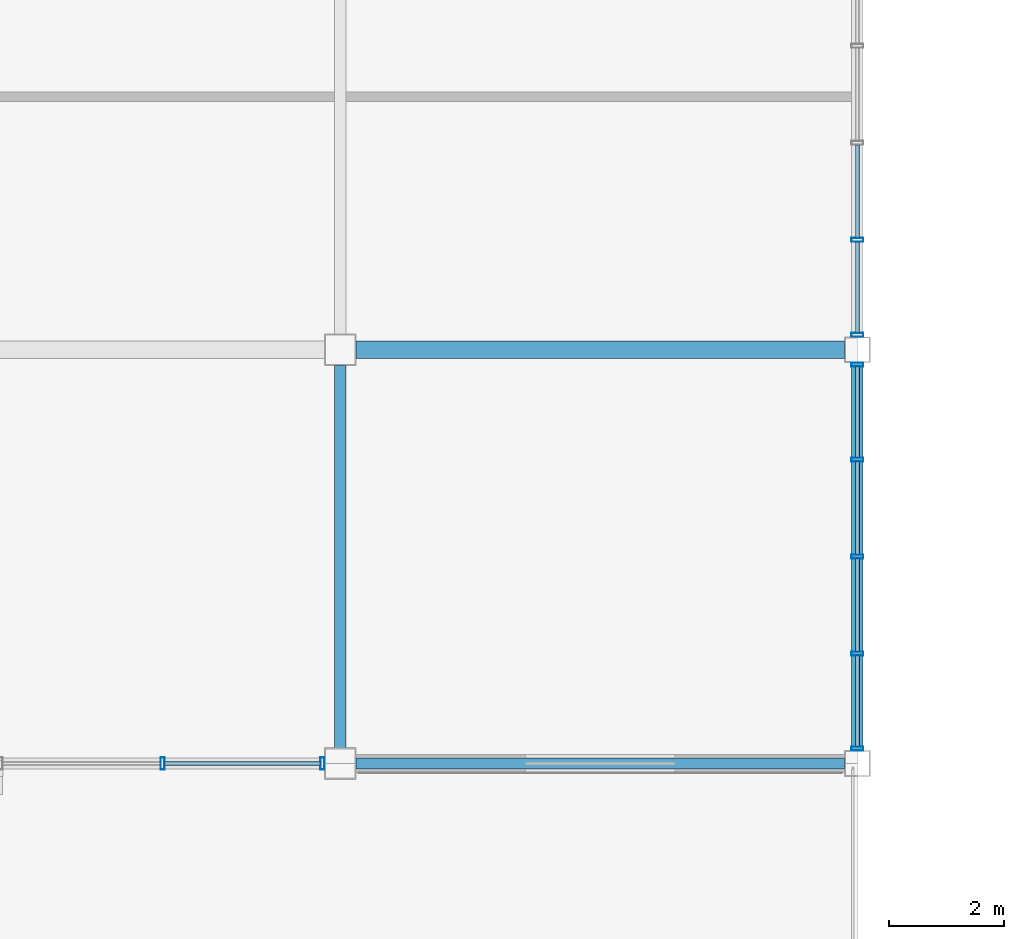
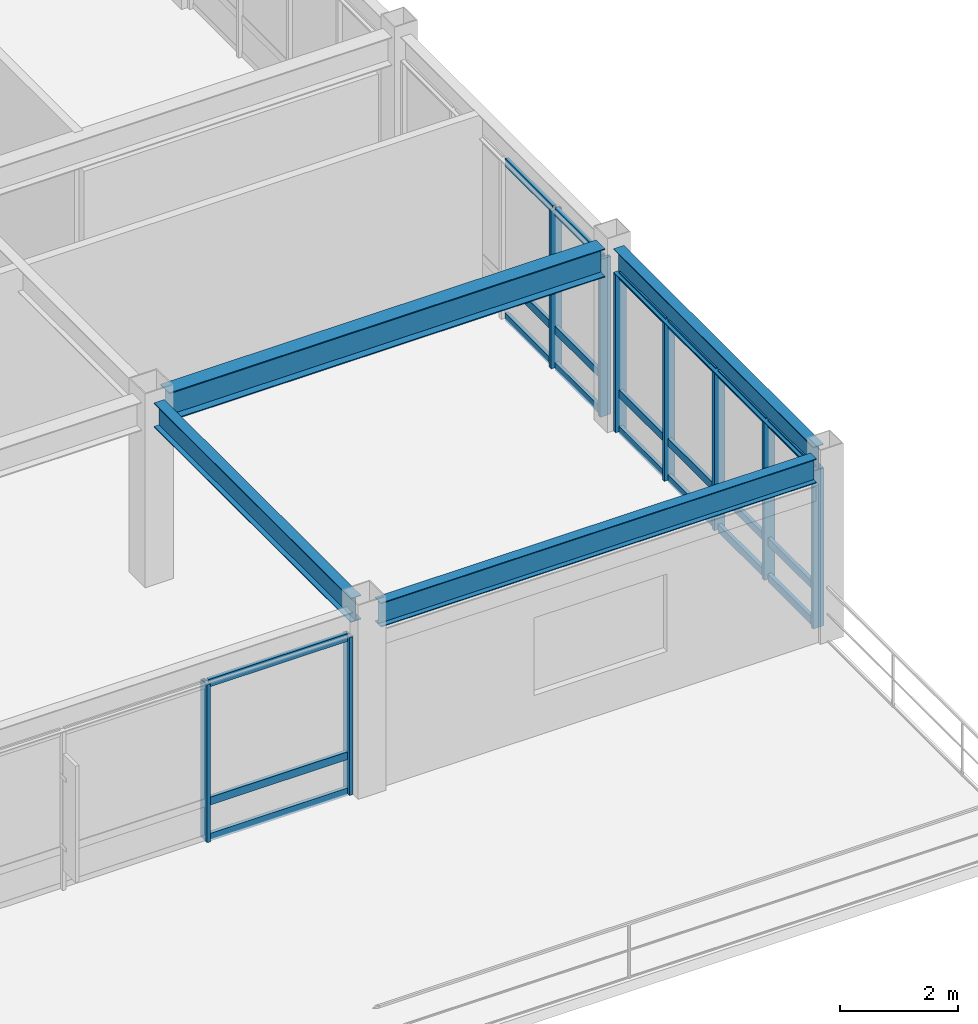
# One storey, part 40 of 122: 30 members, 4 beams, 3 elements without a shape of their own.
"""IFC4 building model written with IfcOpenShell, lengths in metres."""

from ifc_helpers import new_model, si_unit, direction, frame, origin, origin_2d, place, context, subcontext, project, spatial, hollow_rectangle, i_section, extrude, material, material_profile, profile_set, type_object, element, aggregate, save


model = new_model("IFC4")

# Units and contexts
model_context = context("Model", 3, precision=1e-05, world=origin(), true_north=direction((0.0, 1.0)))
body_context = subcontext(model_context, "Body", "Model", "MODEL_VIEW")
ifc_project = project(units=[si_unit("LENGTHUNIT", "METRE"), si_unit("AREAUNIT", "SQUARE_METRE"), si_unit("VOLUMEUNIT", "CUBIC_METRE"), si_unit("PLANEANGLEUNIT", "RADIAN"), si_unit("MASSUNIT", "GRAM", prefix="KILO")], contexts=[model_context])

# Site, building, storey
site_placement = place(None, origin())
site = spatial("IfcSite", under=ifc_project, at=site_placement, CompositionType="ELEMENT")
building_placement = place(site_placement, origin())
building = spatial("IfcBuilding", under=site, at=building_placement, Name="Kazanami Central Library", CompositionType="ELEMENT")
storey_placement = place(building_placement, frame((0.0, 0.0, 4.800048828125)))
storey = spatial("IfcBuildingStorey", under=building, at=storey_placement, Name="L02", CompositionType="ELEMENT", Elevation=4.800048828125)

# Beams
ifc_material_1 = material(Name="Steel SN490B (325 MPa)", Category="steel")
ifc_material_profile_1 = material_profile(ifc_material_1, i_section(OverallWidth=0.300048828125, OverallDepth=0.587890625, WebThickness=0.011962890625, FlangeThickness=0.02001953125, at=origin_2d()), Name="H-588x300x12x20")
ifc_profile_set_1 = profile_set([ifc_material_profile_1], Name="Steel SN490B (325 MPa)")
beam_type_1 = type_object("IfcBeamType", Name="BM-G-X2", PredefinedType="BEAM", material=ifc_profile_set_1)
beam_1_placement = place(storey_placement, frame((99.27294921875, 28.800048828125, 3.4609375), z_axis=(1.0, 0.0, 0.0), x_axis=(0.0, 1.0, 0.0)))
element("IfcBeam", 1, at=beam_1_placement, inside=storey, type_object=beam_type_1, Name="Girder G-X2 L02 E/12-13", PredefinedType="BEAM", context=body_context, shape_type="SweptSolid", body=[
    extrude(i_section(OverallWidth=0.300048828125, OverallDepth=0.587890625, WebThickness=0.011962890625, FlangeThickness=0.02001953125, at=origin_2d()), origin(), (0.0, 0.0, 1.0), 8.504150390625),
])
ifc_material_profile_2 = material_profile(ifc_material_1, i_section(OverallWidth=0.199951171875, OverallDepth=0.5, WebThickness=0.010009765625, FlangeThickness=0.01611328125, at=origin_2d()), Name="H-500x200x10x16")
ifc_profile_set_2 = profile_set([ifc_material_profile_2], Name="Steel SN490B (325 MPa)")
beam_type_2 = type_object("IfcBeamType", Name="BM-G-Y2", PredefinedType="BEAM", material=ifc_profile_set_2)
beam_2_placement = place(storey_placement, frame((99.0, 21.873046875, 3.5048828125), z_axis=(0.0, 1.0, 0.0), x_axis=(-1.0, 0.0, 0.0)))
element("IfcBeam", 2, at=beam_2_placement, inside=storey, type_object=beam_type_2, Name="Girder G-Y2 L02 12/D-E", PredefinedType="BEAM", context=body_context, shape_type="SweptSolid", body=[
    extrude(i_section(OverallWidth=0.199951171875, OverallDepth=0.5, WebThickness=0.010009765625, FlangeThickness=0.01611328125, at=origin_2d()), origin(), (0.0, 0.0, 1.0), 6.654052734375),
])
ifc_material_profile_3 = material_profile(ifc_material_1, i_section(OverallWidth=0.199951171875, OverallDepth=0.5, WebThickness=0.010009765625, FlangeThickness=0.01611328125, at=origin_2d()), Name="H-500x200x10x16")
ifc_profile_set_3 = profile_set([ifc_material_profile_3], Name="Steel SN490B (325 MPa)")
beam_type_3 = type_object("IfcBeamType", Name="BM-SP-1", PredefinedType="SPANDREL", material=ifc_profile_set_3)
beam_3_placement = place(storey_placement, frame((99.27294921875, 21.60009765625, 3.5048828125), z_axis=(1.0, 0.0, 0.0), x_axis=(0.0, 1.0, 0.0)))
element("IfcBeam", 3, at=beam_3_placement, inside=storey, type_object=beam_type_3, Name="Girder SP-1 L02 D/12-13", PredefinedType="SPANDREL", context=body_context, shape_type="SweptSolid", body=[
    extrude(i_section(OverallWidth=0.199951171875, OverallDepth=0.5, WebThickness=0.010009765625, FlangeThickness=0.01611328125, at=origin_2d()), origin(), (0.0, 0.0, 1.0), 8.504150390625),
])
beam_4_placement = place(storey_placement, frame((108.0, 21.822998046875, 3.5048828125), z_axis=(0.0, 1.0, 0.0), x_axis=(-1.0, 0.0, 0.0)))
element("IfcBeam", 4, at=beam_4_placement, inside=storey, type_object=beam_type_3, Name="Girder SP-1 L02 13/D-E", PredefinedType="SPANDREL", context=body_context, shape_type="SweptSolid", body=[
    extrude(i_section(OverallWidth=0.199951171875, OverallDepth=0.5, WebThickness=0.010009765625, FlangeThickness=0.01611328125, at=origin_2d()), origin(), (0.0, 0.0, 1.0), 6.75390625),
])

# Curtain wall, members
ifc_material_2 = material(Name="Acid-Etched Low-E Laminated Glass", Category="glass")
curtain_wall_type_1 = type_object("IfcCurtainWallType", Name="CW-8450x3255-M275", PredefinedType="USERDEFINED", material=ifc_material_2)
curtain_wall_1_placement = place(storey_placement, origin())
curtain_wall_1 = element("IfcCurtainWall", 5, at=curtain_wall_1_placement, inside=storey, type_object=curtain_wall_type_1, Name="Unitised Curtain Wall CW-13 L02 S-D-10", ObjectType="UNITISED CURTAIN WALL", PredefinedType="USERDEFINED")
ifc_material_3 = material(Name="Anodised Aluminium A6063-T5", Category="aluminium")
ifc_material_profile_4 = material_profile(ifc_material_3, hollow_rectangle(XDim=0.070068359375, YDim=0.2099609375, WallThickness=0.0048828125, at=origin_2d()), Name="ALU-MULL-70x210x5")
ifc_profile_set_4 = profile_set([ifc_material_profile_4], Name="Anodised Aluminium A6063-T5")
member_type_1 = type_object("IfcMemberType", Name="MEM-CW-M1", PredefinedType="MULLION", material=ifc_profile_set_4)
member_1_placement = place(storey_placement, frame((95.908447265625, 21.60009765625, 0.0), z_axis=(0.0, 0.0, 1.0), x_axis=(1.0, 0.0, 0.0)))
member_1 = element("IfcMember", 6, at=member_1_placement, type_object=member_type_1, Name="CW-13 mullion 3", PredefinedType="MULLION", context=body_context, shape_type="SweptSolid", body=[
    extrude(hollow_rectangle(XDim=0.070068359375, YDim=0.2099609375, WallThickness=0.0048828125, at=origin_2d()), origin(), (0.0, 0.0, 1.0), 3.2548828125),
])
member_2_placement = place(storey_placement, frame((98.68994140625, 21.60009765625, 0.0), z_axis=(0.0, 0.0, 1.0), x_axis=(1.0, 0.0, 0.0)))
member_2 = element("IfcMember", 7, at=member_2_placement, type_object=member_type_1, Name="CW-13 mullion 4", PredefinedType="MULLION", context=body_context, shape_type="SweptSolid", body=[
    extrude(hollow_rectangle(XDim=0.070068359375, YDim=0.2099609375, WallThickness=0.0048828125, at=origin_2d()), origin(), (0.0, 0.0, 1.0), 3.2548828125),
])

curtain_wall_type_2 = type_object("IfcCurtainWallType", Name="CW-6750x3255-M180", PredefinedType="USERDEFINED", material=ifc_material_2)
curtain_wall_2_placement = place(storey_placement, origin())
curtain_wall_2 = element("IfcCurtainWall", 8, at=curtain_wall_2_placement, inside=storey, type_object=curtain_wall_type_2, Name="Covered Link Bridge Curtain Wall CW-21 L02 E-13-03", ObjectType="UNITISED CURTAIN WALL", PredefinedType="USERDEFINED")
member_3_placement = place(storey_placement, frame((108.0, 28.5400390625, 0.0), z_axis=(0.0, 0.0, 1.0), x_axis=(0.0, -1.0, 0.0)))
member_3 = element("IfcMember", 9, at=member_3_placement, type_object=member_type_1, Name="CW-21 mullion 1", PredefinedType="MULLION", context=body_context, shape_type="SweptSolid", body=[
    extrude(hollow_rectangle(XDim=0.070068359375, YDim=0.2099609375, WallThickness=0.0048828125, at=origin_2d()), origin(), (0.0, 0.0, 1.0), 3.2548828125),
])
member_4_placement = place(storey_placement, frame((108.0, 26.887451171875, 0.0), z_axis=(0.0, 0.0, 1.0), x_axis=(0.0, -1.0, 0.0)))
member_4 = element("IfcMember", 10, at=member_4_placement, type_object=member_type_1, Name="CW-21 mullion 2", PredefinedType="MULLION", context=body_context, shape_type="SweptSolid", body=[
    extrude(hollow_rectangle(XDim=0.070068359375, YDim=0.2099609375, WallThickness=0.0048828125, at=origin_2d()), origin(), (0.0, 0.0, 1.0), 3.2548828125),
])
member_5_placement = place(storey_placement, frame((108.0, 25.199951171875, 0.0), z_axis=(0.0, 0.0, 1.0), x_axis=(0.0, -1.0, 0.0)))
member_5 = element("IfcMember", 11, at=member_5_placement, type_object=member_type_1, Name="CW-21 mullion 3", PredefinedType="MULLION", context=body_context, shape_type="SweptSolid", body=[
    extrude(hollow_rectangle(XDim=0.070068359375, YDim=0.2099609375, WallThickness=0.0048828125, at=origin_2d()), origin(), (0.0, 0.0, 1.0), 3.2548828125),
])
member_6_placement = place(storey_placement, frame((108.0, 23.512451171875, 0.0), z_axis=(0.0, 0.0, 1.0), x_axis=(0.0, -1.0, 0.0)))
member_6 = element("IfcMember", 12, at=member_6_placement, type_object=member_type_1, Name="CW-21 mullion 4", PredefinedType="MULLION", context=body_context, shape_type="SweptSolid", body=[
    extrude(hollow_rectangle(XDim=0.070068359375, YDim=0.2099609375, WallThickness=0.0048828125, at=origin_2d()), origin(), (0.0, 0.0, 1.0), 3.2548828125),
])
member_7_placement = place(storey_placement, frame((108.0, 21.860107421875, 0.0), z_axis=(0.0, 0.0, 1.0), x_axis=(0.0, -1.0, 0.0)))
member_7 = element("IfcMember", 13, at=member_7_placement, type_object=member_type_1, Name="CW-21 mullion 5", PredefinedType="MULLION", context=body_context, shape_type="SweptSolid", body=[
    extrude(hollow_rectangle(XDim=0.070068359375, YDim=0.2099609375, WallThickness=0.0048828125, at=origin_2d()), origin(), (0.0, 0.0, 1.0), 3.2548828125),
])

curtain_wall_3_placement = place(storey_placement, origin())
curtain_wall_3 = element("IfcCurtainWall", 14, at=curtain_wall_3_placement, inside=storey, type_object=curtain_wall_type_2, Name="Covered Link Bridge Curtain Wall CW-21 L02 E-13-04", ObjectType="UNITISED CURTAIN WALL", PredefinedType="USERDEFINED")
member_8_placement = place(storey_placement, frame((108.0, 30.71240234375, 0.0), z_axis=(0.0, 0.0, 1.0), x_axis=(0.0, -1.0, 0.0)))
member_8 = element("IfcMember", 15, at=member_8_placement, type_object=member_type_1, Name="CW-21 mullion 4", PredefinedType="MULLION", context=body_context, shape_type="SweptSolid", body=[
    extrude(hollow_rectangle(XDim=0.070068359375, YDim=0.2099609375, WallThickness=0.0048828125, at=origin_2d()), origin(), (0.0, 0.0, 1.0), 3.2548828125),
])
member_9_placement = place(storey_placement, frame((108.0, 29.06005859375, 0.0), z_axis=(0.0, 0.0, 1.0), x_axis=(0.0, -1.0, 0.0)))
member_9 = element("IfcMember", 16, at=member_9_placement, type_object=member_type_1, Name="CW-21 mullion 5", PredefinedType="MULLION", context=body_context, shape_type="SweptSolid", body=[
    extrude(hollow_rectangle(XDim=0.070068359375, YDim=0.2099609375, WallThickness=0.0048828125, at=origin_2d()), origin(), (0.0, 0.0, 1.0), 3.2548828125),
])

# Member
ifc_material_profile_5 = material_profile(ifc_material_3, hollow_rectangle(XDim=0.070068359375, YDim=0.159912109375, WallThickness=0.00390625, at=origin_2d()), Name="ALU-TRAN-70x160x4")
ifc_profile_set_5 = profile_set([ifc_material_profile_5], Name="Anodised Aluminium A6063-T5")
member_type_2 = type_object("IfcMemberType", Name="MEM-CW-T1", PredefinedType="USERDEFINED", material=ifc_profile_set_5)
member_10_placement = place(storey_placement, frame((95.943359375, 21.60009765625, 0.034912109375), z_axis=(1.0, 0.0, 0.0), x_axis=(0.0, 1.0, 0.0)))
member_10 = element("IfcMember", 17, at=member_10_placement, type_object=member_type_2, Name="CW-13 transom 3.1", ObjectType="TRANSOM", PredefinedType="USERDEFINED", context=body_context, shape_type="SweptSolid", body=[
    extrude(hollow_rectangle(XDim=0.070068359375, YDim=0.159912109375, WallThickness=0.00390625, at=origin_2d()), origin(), (0.0, 0.0, 1.0), 2.711669921875),
])

member_11_placement = place(storey_placement, frame((95.943359375, 21.60009765625, 0.780029296875), z_axis=(1.0, 0.0, 0.0), x_axis=(0.0, 1.0, 0.0)))
member_11 = element("IfcMember", 18, at=member_11_placement, type_object=member_type_2, Name="CW-13 transom 3.2", ObjectType="TRANSOM", PredefinedType="USERDEFINED", context=body_context, shape_type="SweptSolid", body=[
    extrude(hollow_rectangle(XDim=0.070068359375, YDim=0.159912109375, WallThickness=0.00390625, at=origin_2d()), origin(), (0.0, 0.0, 1.0), 2.711669921875),
])

member_12_placement = place(storey_placement, frame((95.943359375, 21.60009765625, 3.219970703125), z_axis=(1.0, 0.0, 0.0), x_axis=(0.0, 1.0, 0.0)))
member_12 = element("IfcMember", 19, at=member_12_placement, type_object=member_type_2, Name="CW-13 transom 3.3", ObjectType="TRANSOM", PredefinedType="USERDEFINED", context=body_context, shape_type="SweptSolid", body=[
    extrude(hollow_rectangle(XDim=0.070068359375, YDim=0.159912109375, WallThickness=0.00390625, at=origin_2d()), origin(), (0.0, 0.0, 1.0), 2.711669921875),
])

aggregate(curtain_wall_1, [member_1, member_2, member_10, member_11, member_12])

member_13_placement = place(storey_placement, frame((108.0, 28.5048828125, 0.034912109375), z_axis=(0.0, -1.0, 0.0), x_axis=(1.0, 0.0, 0.0)))
member_13 = element("IfcMember", 20, at=member_13_placement, type_object=member_type_2, Name="CW-21 transom 1.1", ObjectType="TRANSOM", PredefinedType="USERDEFINED", context=body_context, shape_type="SweptSolid", body=[
    extrude(hollow_rectangle(XDim=0.070068359375, YDim=0.159912109375, WallThickness=0.00390625, at=origin_2d()), origin(), (0.0, 0.0, 1.0), 1.582275390625),
])

member_14_placement = place(storey_placement, frame((108.0, 28.5048828125, 0.780029296875), z_axis=(0.0, -1.0, 0.0), x_axis=(1.0, 0.0, 0.0)))
member_14 = element("IfcMember", 21, at=member_14_placement, type_object=member_type_2, Name="CW-21 transom 1.2", ObjectType="TRANSOM", PredefinedType="USERDEFINED", context=body_context, shape_type="SweptSolid", body=[
    extrude(hollow_rectangle(XDim=0.070068359375, YDim=0.159912109375, WallThickness=0.00390625, at=origin_2d()), origin(), (0.0, 0.0, 1.0), 1.582275390625),
])

member_15_placement = place(storey_placement, frame((108.0, 28.5048828125, 3.219970703125), z_axis=(0.0, -1.0, 0.0), x_axis=(1.0, 0.0, 0.0)))
member_15 = element("IfcMember", 22, at=member_15_placement, type_object=member_type_2, Name="CW-21 transom 1.3", ObjectType="TRANSOM", PredefinedType="USERDEFINED", context=body_context, shape_type="SweptSolid", body=[
    extrude(hollow_rectangle(XDim=0.070068359375, YDim=0.159912109375, WallThickness=0.00390625, at=origin_2d()), origin(), (0.0, 0.0, 1.0), 1.582275390625),
])

member_16_placement = place(storey_placement, frame((108.0, 26.8525390625, 0.034912109375), z_axis=(0.0, -1.0, 0.0), x_axis=(1.0, 0.0, 0.0)))
member_16 = element("IfcMember", 23, at=member_16_placement, type_object=member_type_2, Name="CW-21 transom 2.1", ObjectType="TRANSOM", PredefinedType="USERDEFINED", context=body_context, shape_type="SweptSolid", body=[
    extrude(hollow_rectangle(XDim=0.070068359375, YDim=0.159912109375, WallThickness=0.00390625, at=origin_2d()), origin(), (0.0, 0.0, 1.0), 1.617431640625),
])

member_17_placement = place(storey_placement, frame((108.0, 26.8525390625, 0.780029296875), z_axis=(0.0, -1.0, 0.0), x_axis=(1.0, 0.0, 0.0)))
member_17 = element("IfcMember", 24, at=member_17_placement, type_object=member_type_2, Name="CW-21 transom 2.2", ObjectType="TRANSOM", PredefinedType="USERDEFINED", context=body_context, shape_type="SweptSolid", body=[
    extrude(hollow_rectangle(XDim=0.070068359375, YDim=0.159912109375, WallThickness=0.00390625, at=origin_2d()), origin(), (0.0, 0.0, 1.0), 1.617431640625),
])

member_18_placement = place(storey_placement, frame((108.0, 26.8525390625, 3.219970703125), z_axis=(0.0, -1.0, 0.0), x_axis=(1.0, 0.0, 0.0)))
member_18 = element("IfcMember", 25, at=member_18_placement, type_object=member_type_2, Name="CW-21 transom 2.3", ObjectType="TRANSOM", PredefinedType="USERDEFINED", context=body_context, shape_type="SweptSolid", body=[
    extrude(hollow_rectangle(XDim=0.070068359375, YDim=0.159912109375, WallThickness=0.00390625, at=origin_2d()), origin(), (0.0, 0.0, 1.0), 1.617431640625),
])

member_19_placement = place(storey_placement, frame((108.0, 25.1650390625, 0.034912109375), z_axis=(0.0, -1.0, 0.0), x_axis=(1.0, 0.0, 0.0)))
member_19 = element("IfcMember", 26, at=member_19_placement, type_object=member_type_2, Name="CW-21 transom 3.1", ObjectType="TRANSOM", PredefinedType="USERDEFINED", context=body_context, shape_type="SweptSolid", body=[
    extrude(hollow_rectangle(XDim=0.070068359375, YDim=0.159912109375, WallThickness=0.00390625, at=origin_2d()), origin(), (0.0, 0.0, 1.0), 1.617431640625),
])

member_20_placement = place(storey_placement, frame((108.0, 25.1650390625, 0.780029296875), z_axis=(0.0, -1.0, 0.0), x_axis=(1.0, 0.0, 0.0)))
member_20 = element("IfcMember", 27, at=member_20_placement, type_object=member_type_2, Name="CW-21 transom 3.2", ObjectType="TRANSOM", PredefinedType="USERDEFINED", context=body_context, shape_type="SweptSolid", body=[
    extrude(hollow_rectangle(XDim=0.070068359375, YDim=0.159912109375, WallThickness=0.00390625, at=origin_2d()), origin(), (0.0, 0.0, 1.0), 1.617431640625),
])

member_21_placement = place(storey_placement, frame((108.0, 25.1650390625, 3.219970703125), z_axis=(0.0, -1.0, 0.0), x_axis=(1.0, 0.0, 0.0)))
member_21 = element("IfcMember", 28, at=member_21_placement, type_object=member_type_2, Name="CW-21 transom 3.3", ObjectType="TRANSOM", PredefinedType="USERDEFINED", context=body_context, shape_type="SweptSolid", body=[
    extrude(hollow_rectangle(XDim=0.070068359375, YDim=0.159912109375, WallThickness=0.00390625, at=origin_2d()), origin(), (0.0, 0.0, 1.0), 1.617431640625),
])

member_22_placement = place(storey_placement, frame((108.0, 23.4775390625, 0.034912109375), z_axis=(0.0, -1.0, 0.0), x_axis=(1.0, 0.0, 0.0)))
member_22 = element("IfcMember", 29, at=member_22_placement, type_object=member_type_2, Name="CW-21 transom 4.1", ObjectType="TRANSOM", PredefinedType="USERDEFINED", context=body_context, shape_type="SweptSolid", body=[
    extrude(hollow_rectangle(XDim=0.070068359375, YDim=0.159912109375, WallThickness=0.00390625, at=origin_2d()), origin(), (0.0, 0.0, 1.0), 1.58251953125),
])

member_23_placement = place(storey_placement, frame((108.0, 23.4775390625, 0.780029296875), z_axis=(0.0, -1.0, 0.0), x_axis=(1.0, 0.0, 0.0)))
member_23 = element("IfcMember", 30, at=member_23_placement, type_object=member_type_2, Name="CW-21 transom 4.2", ObjectType="TRANSOM", PredefinedType="USERDEFINED", context=body_context, shape_type="SweptSolid", body=[
    extrude(hollow_rectangle(XDim=0.070068359375, YDim=0.159912109375, WallThickness=0.00390625, at=origin_2d()), origin(), (0.0, 0.0, 1.0), 1.58251953125),
])

member_24_placement = place(storey_placement, frame((108.0, 23.4775390625, 3.219970703125), z_axis=(0.0, -1.0, 0.0), x_axis=(1.0, 0.0, 0.0)))
member_24 = element("IfcMember", 31, at=member_24_placement, type_object=member_type_2, Name="CW-21 transom 4.3", ObjectType="TRANSOM", PredefinedType="USERDEFINED", context=body_context, shape_type="SweptSolid", body=[
    extrude(hollow_rectangle(XDim=0.070068359375, YDim=0.159912109375, WallThickness=0.00390625, at=origin_2d()), origin(), (0.0, 0.0, 1.0), 1.58251953125),
])

aggregate(curtain_wall_2, [member_3, member_4, member_5, member_6, member_7, member_13, member_14, member_15, member_16, member_17, member_18, member_19, member_20, member_21, member_22, member_23, member_24])

member_25_placement = place(storey_placement, frame((108.0, 32.364990234375, 0.034912109375), z_axis=(0.0, -1.0, 0.0), x_axis=(1.0, 0.0, 0.0)))
member_25 = element("IfcMember", 32, at=member_25_placement, type_object=member_type_2, Name="CW-21 transom 3.1", ObjectType="TRANSOM", PredefinedType="USERDEFINED", context=body_context, shape_type="SweptSolid", body=[
    extrude(hollow_rectangle(XDim=0.070068359375, YDim=0.159912109375, WallThickness=0.00390625, at=origin_2d()), origin(), (0.0, 0.0, 1.0), 1.617431640625),
])

member_26_placement = place(storey_placement, frame((108.0, 32.364990234375, 0.780029296875), z_axis=(0.0, -1.0, 0.0), x_axis=(1.0, 0.0, 0.0)))
member_26 = element("IfcMember", 33, at=member_26_placement, type_object=member_type_2, Name="CW-21 transom 3.2", ObjectType="TRANSOM", PredefinedType="USERDEFINED", context=body_context, shape_type="SweptSolid", body=[
    extrude(hollow_rectangle(XDim=0.070068359375, YDim=0.159912109375, WallThickness=0.00390625, at=origin_2d()), origin(), (0.0, 0.0, 1.0), 1.617431640625),
])

member_27_placement = place(storey_placement, frame((108.0, 32.364990234375, 3.219970703125), z_axis=(0.0, -1.0, 0.0), x_axis=(1.0, 0.0, 0.0)))
member_27 = element("IfcMember", 34, at=member_27_placement, type_object=member_type_2, Name="CW-21 transom 3.3", ObjectType="TRANSOM", PredefinedType="USERDEFINED", context=body_context, shape_type="SweptSolid", body=[
    extrude(hollow_rectangle(XDim=0.070068359375, YDim=0.159912109375, WallThickness=0.00390625, at=origin_2d()), origin(), (0.0, 0.0, 1.0), 1.617431640625),
])

member_28_placement = place(storey_placement, frame((108.0, 30.677490234375, 0.034912109375), z_axis=(0.0, -1.0, 0.0), x_axis=(1.0, 0.0, 0.0)))
member_28 = element("IfcMember", 35, at=member_28_placement, type_object=member_type_2, Name="CW-21 transom 4.1", ObjectType="TRANSOM", PredefinedType="USERDEFINED", context=body_context, shape_type="SweptSolid", body=[
    extrude(hollow_rectangle(XDim=0.070068359375, YDim=0.159912109375, WallThickness=0.00390625, at=origin_2d()), origin(), (0.0, 0.0, 1.0), 1.58251953125),
])

member_29_placement = place(storey_placement, frame((108.0, 30.677490234375, 0.780029296875), z_axis=(0.0, -1.0, 0.0), x_axis=(1.0, 0.0, 0.0)))
member_29 = element("IfcMember", 36, at=member_29_placement, type_object=member_type_2, Name="CW-21 transom 4.2", ObjectType="TRANSOM", PredefinedType="USERDEFINED", context=body_context, shape_type="SweptSolid", body=[
    extrude(hollow_rectangle(XDim=0.070068359375, YDim=0.159912109375, WallThickness=0.00390625, at=origin_2d()), origin(), (0.0, 0.0, 1.0), 1.58251953125),
])

member_30_placement = place(storey_placement, frame((108.0, 30.677490234375, 3.219970703125), z_axis=(0.0, -1.0, 0.0), x_axis=(1.0, 0.0, 0.0)))
member_30 = element("IfcMember", 37, at=member_30_placement, type_object=member_type_2, Name="CW-21 transom 4.3", ObjectType="TRANSOM", PredefinedType="USERDEFINED", context=body_context, shape_type="SweptSolid", body=[
    extrude(hollow_rectangle(XDim=0.070068359375, YDim=0.159912109375, WallThickness=0.00390625, at=origin_2d()), origin(), (0.0, 0.0, 1.0), 1.58251953125),
])

aggregate(curtain_wall_3, [member_8, member_9, member_25, member_26, member_27, member_28, member_29, member_30])

save(model, "model.ifc")
